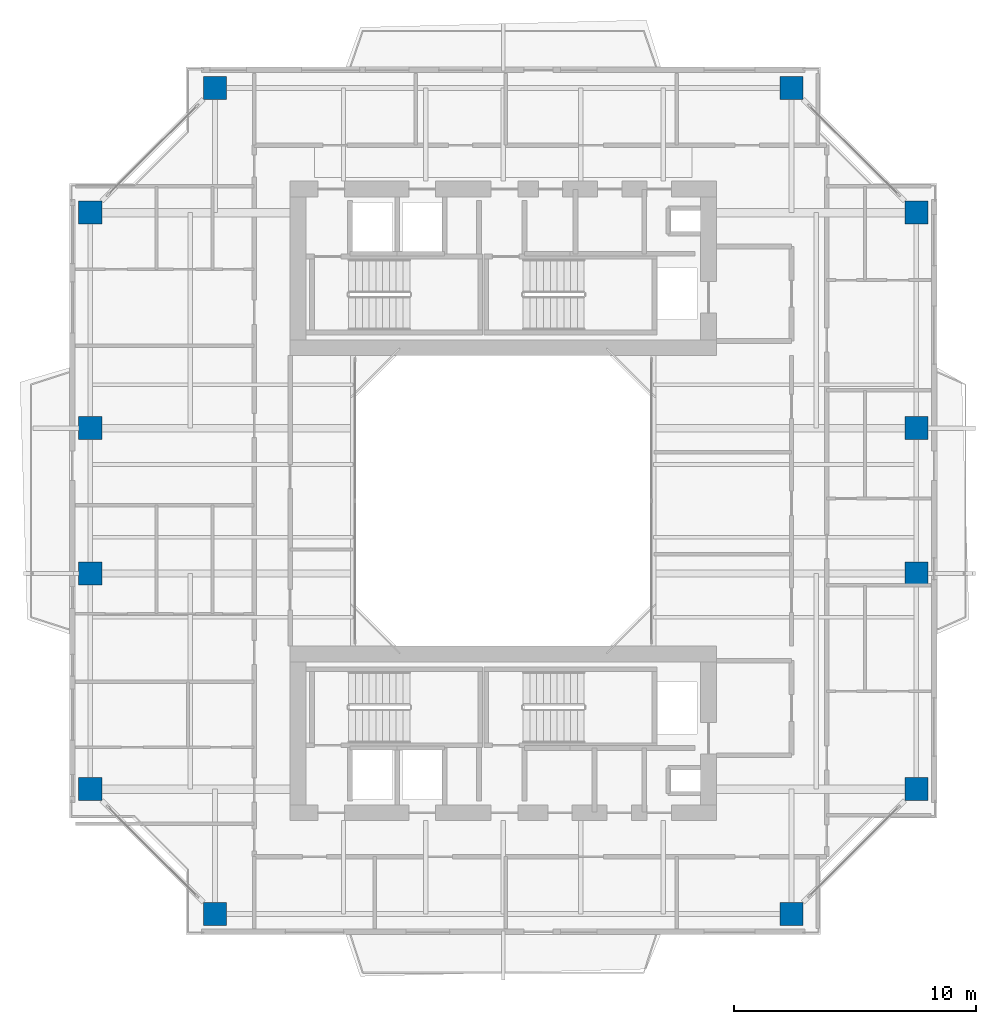
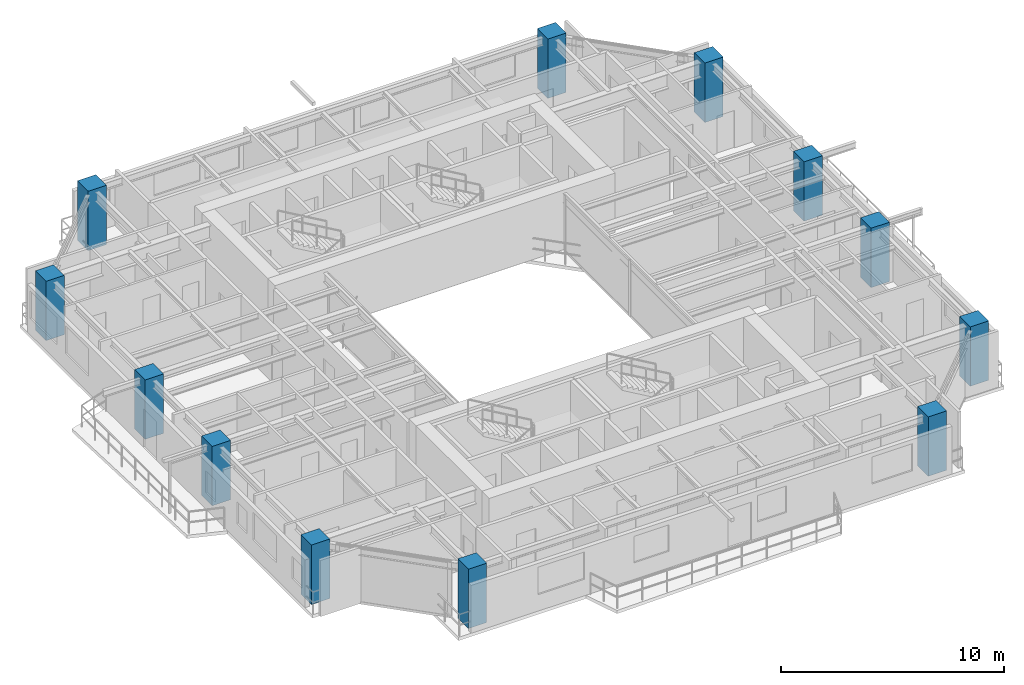
# One storey, part 1 of 18: 12 columns.
"""IFC4 building model written with IfcOpenShell, lengths in metres."""

from ifc_helpers import new_model, si_unit, direction, frame, origin, origin_2d, place, context, subcontext, project, spatial, rectangle, extrude, source, transform, mapped, material, material_profile, profile_set, type_object, element, save


model = new_model("IFC4")

# Units and contexts
model_context = context("Model", 3, precision=1e-05, world=origin(), true_north=direction((0.0, 1.0)))
body_context = subcontext(model_context, "Body", "Model", "MODEL_VIEW")
ifc_project = project(units=[si_unit("LENGTHUNIT", "METRE"), si_unit("AREAUNIT", "SQUARE_METRE"), si_unit("VOLUMEUNIT", "CUBIC_METRE"), si_unit("PLANEANGLEUNIT", "RADIAN"), si_unit("MASSUNIT", "GRAM", prefix="KILO"), si_unit("THERMODYNAMICTEMPERATUREUNIT", "KELVIN"), si_unit("POWERUNIT", "WATT")], contexts=[model_context])

# Site, building, storey
site_placement = place(None, origin())
site = spatial("IfcSite", under=ifc_project, at=site_placement, CompositionType="ELEMENT")
building_placement = place(site_placement, origin())
building = spatial("IfcBuilding", under=site, at=building_placement, Name="Qiaomeng Ring Towers", CompositionType="ELEMENT")
storey_placement = place(building_placement, frame((0.0, 0.0, 179.5)))
storey = spatial("IfcBuildingStorey", under=building, at=storey_placement, Name="L52", CompositionType="ELEMENT", Elevation=179.5)

# Columns
ifc_material = material(Name="Concrete C50", Category="concrete")
ifc_material_profile = material_profile(ifc_material, rectangle(XDim=0.949951171875, YDim=0.949951171875, at=origin_2d()), Name="RC COL 950x950")
ifc_profile_set = profile_set([ifc_material_profile], Name="Concrete C50")
column_type = type_object("IfcColumnType", Name="STR-COL-950-C50", PredefinedType="COLUMN", material=ifc_profile_set)
shared_shape = source(origin(), body_context, "Body", "SweptSolid", [
    extrude(rectangle(XDim=0.949951171875, YDim=0.949951171875, at=origin_2d()), origin(), (0.0, 0.0, 1.0), 3.25),
])
for number, where, z_axis, x_axis, name in (
    (1, (7.10009765625, 5.949951171875, 0.0), (0.0, 0.0, 1.0), (1.0, 0.0, 0.0), "L52 column STR-COL-L52-T1-S1"),
    (2, (30.89990234375, 5.949951171875, 0.0), (0.0, 0.0, 1.0), (1.0, 0.0, 0.0), "L52 column STR-COL-L52-T1-S2"),
    (3, (36.050048828125, 11.10009765625, 0.0), (0.0, 0.0, 1.0), (1.0, 0.0, 0.0), "L52 column STR-COL-L52-T1-E1"),
    (4, (36.050048828125, 20.0, 0.0), (0.0, 0.0, 1.0), (1.0, 0.0, 0.0), "L52 column STR-COL-L52-T1-E2"),
    (5, (36.050048828125, 26.0, 0.0), (0.0, 0.0, 1.0), (1.0, 0.0, 0.0), "L52 column STR-COL-L52-T1-E3"),
    (6, (36.050048828125, 34.89990234375, 0.0), (0.0, 0.0, 1.0), (1.0, 0.0, 0.0), "L52 column STR-COL-L52-T1-E4"),
    (7, (30.89990234375, 40.050048828125, 0.0), (0.0, 0.0, 1.0), (1.0, 0.0, 0.0), "L52 column STR-COL-L52-T1-N2"),
    (8, (7.10009765625, 40.050048828125, 0.0), (0.0, 0.0, 1.0), (1.0, 0.0, 0.0), "L52 column STR-COL-L52-T1-N1"),
    (9, (1.949951171875, 34.89990234375, 0.0), (0.0, 0.0, 1.0), (1.0, 0.0, 0.0), "L52 column STR-COL-L52-T1-W4"),
    (10, (1.949951171875, 26.0, 0.0), (0.0, 0.0, 1.0), (1.0, 0.0, 0.0), "L52 column STR-COL-L52-T1-W3"),
    (11, (1.949951171875, 20.0, 0.0), (0.0, 0.0, 1.0), (1.0, 0.0, 0.0), "L52 column STR-COL-L52-T1-W2"),
    (12, (1.949951171875, 11.10009765625, 0.0), (0.0, 0.0, 1.0), (1.0, 0.0, 0.0), "L52 column STR-COL-L52-T1-W1"),
):
    element("IfcColumn", number, at=place(storey_placement, frame(where, z_axis=z_axis, x_axis=x_axis)), inside=storey, type_object=column_type, Name=name, PredefinedType="COLUMN", context=body_context, shape_type="MappedRepresentation", body=[
        mapped(shared_shape, transform((0.0, 0.0, 0.0), x_axis=(1.0, 0.0, 0.0), y_axis=(0.0, 1.0, 0.0), z_axis=(0.0, 0.0, 1.0), scale=1.0)),
    ])

save(model, "model.ifc")
